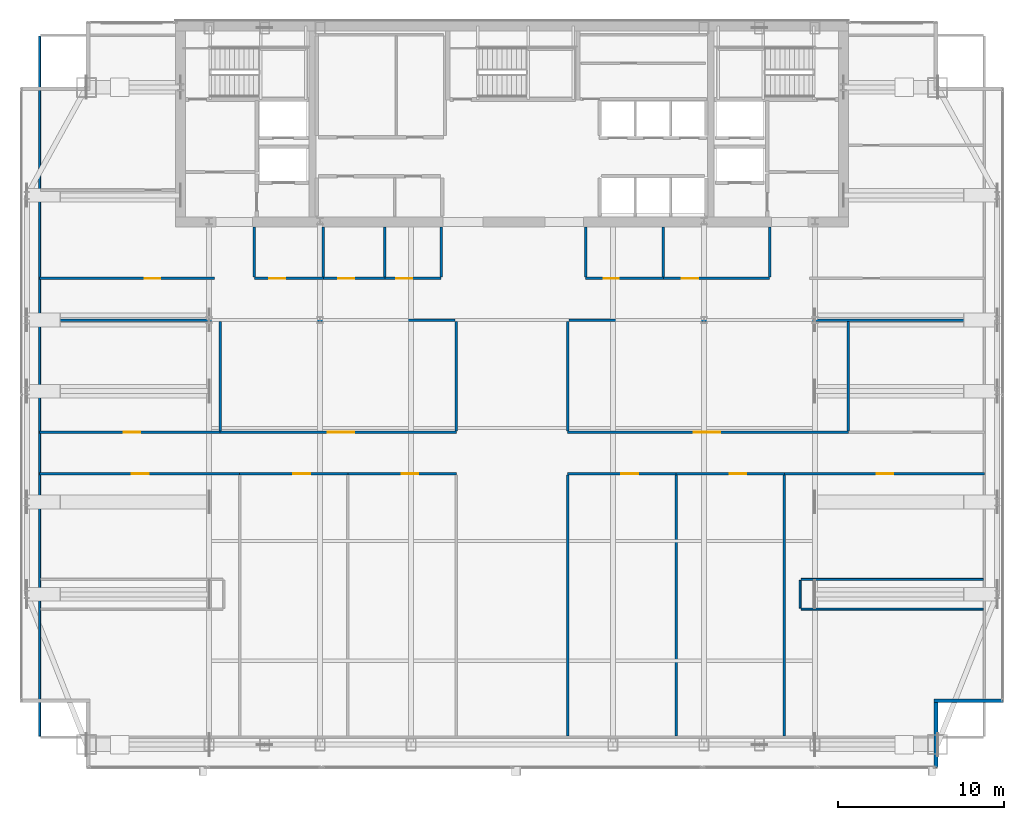
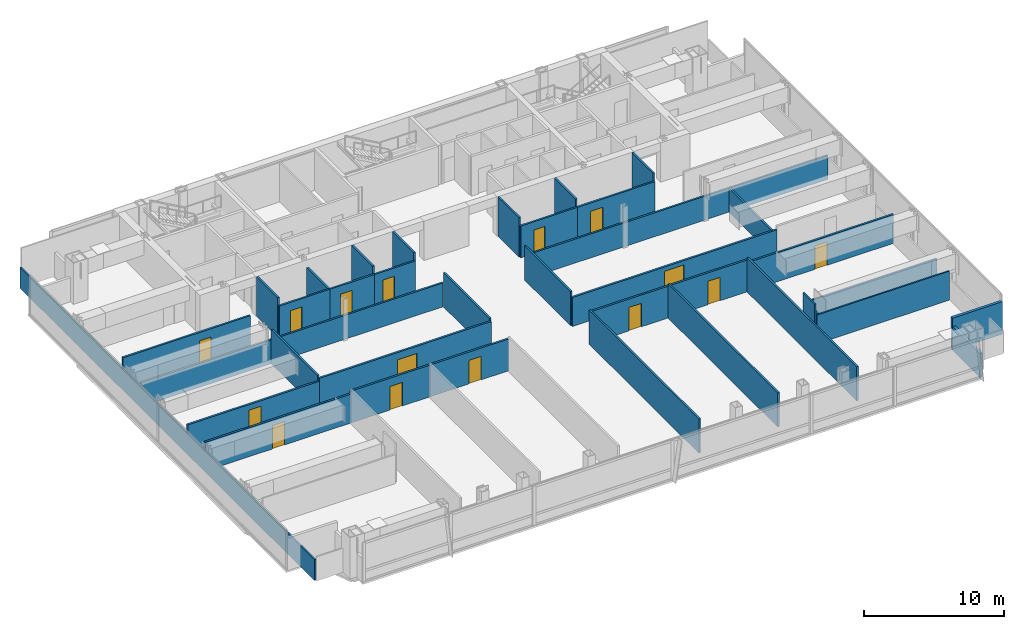
# One storey, part 21 of 26: 37 walls, 15 doors, 15 openings.
"""IFC4 building model written with IfcOpenShell, lengths in metres."""

from ifc_helpers import new_model, si_unit, direction, frame, frame_2d, origin, place, context, subcontext, project, spatial, rectangle, extrude, material, layer, layer_set, type_object, element, fill, save


model = new_model("IFC4")

# Units and contexts
model_context = context("Model", 3, precision=1e-05, world=origin(), true_north=direction((0.0, 1.0)))
body_context = subcontext(model_context, "Body", "Model", "MODEL_VIEW")
ifc_project = project(units=[si_unit("LENGTHUNIT", "METRE"), si_unit("AREAUNIT", "SQUARE_METRE"), si_unit("VOLUMEUNIT", "CUBIC_METRE"), si_unit("PLANEANGLEUNIT", "RADIAN"), si_unit("MASSUNIT", "GRAM", prefix="KILO")], contexts=[model_context])

# Site, building, storey
site_placement = place(None, origin())
site = spatial("IfcSite", under=ifc_project, at=site_placement, CompositionType="ELEMENT")
building_placement = place(site_placement, origin())
building = spatial("IfcBuilding", under=site, at=building_placement, Name="Khoronbel Lancet Exchange", CompositionType="ELEMENT")
storey_placement = place(building_placement, frame((0.0, 0.0, 235.39990234375)))
storey = spatial("IfcBuildingStorey", under=building, at=storey_placement, Name="L60", CompositionType="ELEMENT", Elevation=235.39990234375)

# Walls
ifc_material_1 = material(Name="Precast concrete C40/50", Category="concrete")
ifc_layer_1 = layer(ifc_material_1, 0.25, Name="Precast concrete C40/50")
ifc_layer_set_1 = layer_set([ifc_layer_1], Name="Precast concrete C40/50")
wall_type_1 = type_object("IfcWallType", Name="WL-EXT250", PredefinedType="SOLIDWALL", material=ifc_layer_set_1)
wall_1_placement = place(storey_placement, frame((65.97998046875, 12.7900390625, 0.0), z_axis=(0.0, 0.0, 1.0), x_axis=(-1.0, 0.0, 0.0)))
element("IfcWall", 1, at=wall_1_placement, inside=storey, type_object=wall_type_1, Name="Level L60 notched-corner limestone pier 10", PredefinedType="SOLIDWALL", context=body_context, shape_type="SweptSolid", body=[
    extrude(rectangle(XDim=4.1298828125, YDim=0.219970703125, at=frame_2d((2.06494140625, 0.0))), origin(), (0.0, 0.0, 1.0), 2.830078125),
])
wall_2_placement = place(storey_placement, frame((61.9599609375, 12.679931640625, 0.0), z_axis=(0.0, 0.0, 1.0), x_axis=(0.0, -1.0, 0.0)))
element("IfcWall", 2, at=wall_2_placement, inside=storey, type_object=wall_type_1, Name="Level L60 notched-corner limestone pier 11", PredefinedType="SOLIDWALL", context=body_context, shape_type="SweptSolid", body=[
    extrude(rectangle(XDim=3.909912109375, YDim=0.219970703125, at=frame_2d((1.955078125, 0.0))), origin(), (0.0, 0.0, 1.0), 2.090087890625),
])
ifc_material_2 = material(Name="Acoustic Metal-Stud & Mineral-Wool Gypsum Partition 120 mm", Category="gypsum")
ifc_layer_2 = layer(ifc_material_2, 0.1201171875, Name="Acoustic Metal-Stud & Mineral-Wool Gypsum Partition 120 mm")
ifc_layer_set_2 = layer_set([ifc_layer_2], Name="Acoustic Metal-Stud & Mineral-Wool Gypsum Partition 120 mm")
wall_type_2 = type_object("IfcWallType", Name="WL-PRT120", PredefinedType="PARTITIONING", material=ifc_layer_set_2)
wall_3_placement = place(storey_placement, frame((20.949951171875, 38.280029296875, 0.0), z_axis=(0.0, 0.0, 1.0), x_axis=(0.0, 1.0, 0.0)))
element("IfcWall", 3, at=wall_3_placement, inside=storey, type_object=wall_type_2, Name="Level L60 interior partition PW-WC-0", PredefinedType="PARTITIONING", context=body_context, shape_type="SweptSolid", body=[
    extrude(rectangle(XDim=3.02001953125, YDim=0.14990234375, at=frame_2d((1.510009765625, 0.0))), origin(), (0.0, 0.0, 1.0), 3.440185546875),
])
wall_4_placement = place(storey_placement, frame((25.10009765625, 38.280029296875, 0.0), z_axis=(0.0, 0.0, 1.0), x_axis=(0.0, 1.0, 0.0)))
element("IfcWall", 4, at=wall_4_placement, inside=storey, type_object=wall_type_2, Name="Level L60 interior partition PW-WC-1", PredefinedType="PARTITIONING", context=body_context, shape_type="SweptSolid", body=[
    extrude(rectangle(XDim=3.02001953125, YDim=0.14990234375, at=frame_2d((1.510009765625, 0.0))), origin(), (0.0, 0.0, 1.0), 2.780029296875),
])
for number, where, z_axis, x_axis, name in (
    (5, (28.800048828125, 38.280029296875, 0.0), (0.0, 0.0, 1.0), (0.0, 1.0, 0.0), "Level L60 interior partition PW-WC-2"),
    (6, (32.179931640625, 38.280029296875, 0.0), (0.0, 0.0, 1.0), (0.0, 1.0, 0.0), "Level L60 interior partition PW-WC-3"),
    (7, (40.8798828125, 38.280029296875, 0.0), (0.0, 0.0, 1.0), (0.0, 1.0, 0.0), "Level L60 interior partition PW-NP-0"),
    (8, (45.550048828125, 38.280029296875, 0.0), (0.0, 0.0, 1.0), (0.0, 1.0, 0.0), "Level L60 interior partition PW-NP-M"),
    (9, (51.949951171875, 38.280029296875, 0.0), (0.0, 0.0, 1.0), (0.0, 1.0, 0.0), "Level L60 interior partition PW-NP-1"),
):
    element("IfcWall", number, at=place(storey_placement, frame(where, z_axis=z_axis, x_axis=x_axis)), inside=storey, type_object=wall_type_2, Name=name, PredefinedType="PARTITIONING", context=body_context, shape_type="SweptSolid", body=[
        extrude(rectangle(XDim=3.02001953125, YDim=0.14990234375, at=frame_2d((1.510009765625, 0.0))), origin(), (0.0, 0.0, 1.0), 3.440185546875),
    ])
wall_5_placement = place(storey_placement, frame((8.030029296875, 10.6650390625, 0.0), z_axis=(0.0, 0.0, 1.0), x_axis=(0.0, 1.0, 0.0)))
element("IfcWall", 10, at=wall_5_placement, inside=storey, type_object=wall_type_2, Name="Level L60 interior partition PW-LIN-W", PredefinedType="PARTITIONING", context=body_context, shape_type="SweptSolid", body=[
    extrude(rectangle(XDim=42.10986328125, YDim=0.1201171875, at=frame_2d((21.054931640625, 0.0))), origin(), (0.0, 0.0, 1.0), 1.830078125),
])
for number, where, z_axis, x_axis, name in (
    (11, (53.844970703125, 18.300048828125, 0.0), (0.0, 0.0, 1.0), (1.0, 0.0, 0.0), "Level L60 interior partition PW-BLK-ES"),
    (12, (53.844970703125, 20.10009765625, 0.0), (0.0, 0.0, 1.0), (1.0, 0.0, 0.0), "Level L60 interior partition PW-BLK-EN"),
):
    element("IfcWall", number, at=place(storey_placement, frame(where, z_axis=z_axis, x_axis=x_axis)), inside=storey, type_object=wall_type_2, Name=name, PredefinedType="PARTITIONING", context=body_context, shape_type="SweptSolid", body=[
        extrude(rectangle(XDim=10.9599609375, YDim=0.1201171875, at=frame_2d((5.47998046875, 0.0))), origin(), (0.0, 0.0, 1.0), 2.530029296875),
    ])
wall_6_placement = place(storey_placement, frame((53.780029296875, 18.364990234375, 0.0), z_axis=(0.0, 0.0, 1.0), x_axis=(0.0, 1.0, 0.0)))
element("IfcWall", 13, at=wall_6_placement, inside=storey, type_object=wall_type_2, Name="Level L60 interior partition PW-BLK-EW", PredefinedType="PARTITIONING", context=body_context, shape_type="SweptSolid", body=[
    extrude(rectangle(XDim=1.669921875, YDim=0.1201171875, at=frame_2d((0.8349609375, 0.0))), origin(), (0.0, 0.0, 1.0), 3.440185546875),
])

# Wall, opening, door
ifc_material_3 = material(Name="Fire-Rated Twin-Stud Acoustic Gypsum Partition 150 mm", Category="gypsum")
ifc_layer_3 = layer(ifc_material_3, 0.14990234375, Name="Fire-Rated Twin-Stud Acoustic Gypsum Partition 150 mm")
ifc_layer_set_3 = layer_set([ifc_layer_3], Name="Fire-Rated Twin-Stud Acoustic Gypsum Partition 150 mm")
wall_type_3 = type_object("IfcWallType", Name="WL-PRT150C", PredefinedType="PARTITIONING", material=ifc_layer_set_3)
wall_7_placement = place(storey_placement, frame((20.949951171875, 38.199951171875, 0.0), z_axis=(0.0, 0.0, 1.0), x_axis=(1.0, 0.0, 0.0)))
wall_7 = element("IfcWall", 14, at=wall_7_placement, inside=storey, type_object=wall_type_3, Name="Level L60 interior partition PW-WC-S1", PredefinedType="PARTITIONING", context=body_context, shape_type="SweptSolid", body=[
    extrude(rectangle(XDim=4.150146484375, YDim=0.14990234375, at=frame_2d((2.0751953125, 0.0))), origin(), (0.0, 0.0, 1.0), 2.780029296875),
])
opening_1_placement = place(wall_7_placement, frame((0.89990234375, 0.0, 0.0)))
opening_1 = element("IfcOpeningElement", 15, at=opening_1_placement, cuts=wall_7, Name="Opening D4", PredefinedType="OPENING", context=body_context, shape_type="SweptSolid", body=[
    extrude(rectangle(XDim=0.949951171875, YDim=2.050048828125, at=frame_2d((0.47509765625, 1.02490234375))), frame((0.0, 0.0849609375, 0.0), z_axis=(0.0, -1.0, 0.0), x_axis=(1.0, 0.0, 0.0)), (0.0, 0.0, 1.0), 0.169921875),
])
ifc_material_4 = material(Name="Moisture-Resistant HPL Washroom Door", Category="wood")
door_type_1 = type_object("IfcDoorType", Name="DR-D4", OperationType="NOTDEFINED", PredefinedType="DOOR", material=ifc_material_4)
door_1_placement = place(opening_1_placement, origin())
door_1 = element("IfcDoor", 16, at=door_1_placement, inside=storey, type_object=door_type_1, Name="Male washroom door L60-1", OperationType="SINGLE_SWING_LEFT", OverallHeight=2.050048828125, OverallWidth=0.949951171875, PredefinedType="DOOR", context=body_context, shape_type="SweptSolid", body=[
    extrude(rectangle(XDim=0.949951171875, YDim=2.050048828125, at=frame_2d((0.47509765625, 1.02490234375))), frame((0.0, 0.02490234375, 0.0), z_axis=(0.0, -1.0, 0.0), x_axis=(1.0, 0.0, 0.0)), (0.0, 0.0, 1.0), 0.050048828125),
])
fill(opening_1, door_1)

wall_8_placement = place(storey_placement, frame((25.10009765625, 38.199951171875, 0.0), z_axis=(0.0, 0.0, 1.0), x_axis=(1.0, 0.0, 0.0)))
wall_8 = element("IfcWall", 17, at=wall_8_placement, inside=storey, type_object=wall_type_3, Name="Level L60 interior partition PW-WC-S2", PredefinedType="PARTITIONING", context=body_context, shape_type="SweptSolid", body=[
    extrude(rectangle(XDim=3.699951171875, YDim=0.14990234375, at=frame_2d((1.85009765625, 0.0))), origin(), (0.0, 0.0, 1.0), 2.780029296875),
])
opening_2_placement = place(wall_8_placement, frame((0.89990234375, 0.0, 0.0)))
opening_2 = element("IfcOpeningElement", 18, at=opening_2_placement, cuts=wall_8, Name="Opening D4", PredefinedType="OPENING", context=body_context, shape_type="SweptSolid", body=[
    extrude(rectangle(XDim=0.949951171875, YDim=2.050048828125, at=frame_2d((0.47509765625, 1.02490234375))), frame((0.0, 0.0849609375, 0.0), z_axis=(0.0, -1.0, 0.0), x_axis=(1.0, 0.0, 0.0)), (0.0, 0.0, 1.0), 0.169921875),
])
door_2_placement = place(opening_2_placement, origin())
door_2 = element("IfcDoor", 19, at=door_2_placement, inside=storey, type_object=door_type_1, Name="Female washroom door L60-1", OperationType="SINGLE_SWING_RIGHT", OverallHeight=2.050048828125, OverallWidth=0.949951171875, PredefinedType="DOOR", context=body_context, shape_type="SweptSolid", body=[
    extrude(rectangle(XDim=0.949951171875, YDim=2.050048828125, at=frame_2d((0.47509765625, 1.02490234375))), frame((0.0, 0.02490234375, 0.0), z_axis=(0.0, -1.0, 0.0), x_axis=(1.0, 0.0, 0.0)), (0.0, 0.0, 1.0), 0.050048828125),
])
fill(opening_2, door_2)

wall_9_placement = place(storey_placement, frame((28.800048828125, 38.199951171875, 0.0), z_axis=(0.0, 0.0, 1.0), x_axis=(1.0, 0.0, 0.0)))
wall_9 = element("IfcWall", 20, at=wall_9_placement, inside=storey, type_object=wall_type_3, Name="Level L60 interior partition PW-WC-S3", PredefinedType="PARTITIONING", context=body_context, shape_type="SweptSolid", body=[
    extrude(rectangle(XDim=3.3798828125, YDim=0.14990234375, at=frame_2d((1.68994140625, 0.0))), origin(), (0.0, 0.0, 1.0), 2.780029296875),
])
opening_3_placement = place(wall_9_placement, frame((0.699951171875, 0.0, 0.0)))
opening_3 = element("IfcOpeningElement", 21, at=opening_3_placement, cuts=wall_9, Name="Opening D4", PredefinedType="OPENING", context=body_context, shape_type="SweptSolid", body=[
    extrude(rectangle(XDim=0.949951171875, YDim=2.050048828125, at=frame_2d((0.47509765625, 1.02490234375))), frame((0.0, 0.0849609375, 0.0), z_axis=(0.0, -1.0, 0.0), x_axis=(1.0, 0.0, 0.0)), (0.0, 0.0, 1.0), 0.169921875),
])
door_3_placement = place(opening_3_placement, origin())
door_3 = element("IfcDoor", 22, at=door_3_placement, inside=storey, type_object=door_type_1, Name="Accessible WC door L60-1", OperationType="SINGLE_SWING_LEFT", OverallHeight=2.050048828125, OverallWidth=0.949951171875, PredefinedType="DOOR", context=body_context, shape_type="SweptSolid", body=[
    extrude(rectangle(XDim=0.949951171875, YDim=2.050048828125, at=frame_2d((0.47509765625, 1.02490234375))), frame((0.0, 0.02490234375, 0.0), z_axis=(0.0, -1.0, 0.0), x_axis=(1.0, 0.0, 0.0)), (0.0, 0.0, 1.0), 0.050048828125),
])
fill(opening_3, door_3)

wall_10_placement = place(storey_placement, frame((40.8798828125, 38.199951171875, 0.0), z_axis=(0.0, 0.0, 1.0), x_axis=(1.0, 0.0, 0.0)))
wall_10 = element("IfcWall", 23, at=wall_10_placement, inside=storey, type_object=wall_type_3, Name="Level L60 interior partition PW-NP-S1", PredefinedType="PARTITIONING", context=body_context, shape_type="SweptSolid", body=[
    extrude(rectangle(XDim=4.670166015625, YDim=0.14990234375, at=frame_2d((2.3349609375, 0.0))), origin(), (0.0, 0.0, 1.0), 2.780029296875),
])
opening_4_placement = place(wall_10_placement, frame((1.10009765625, 0.0, 0.0)))
opening_4 = element("IfcOpeningElement", 24, at=opening_4_placement, cuts=wall_10, Name="Opening D5", PredefinedType="OPENING", context=body_context, shape_type="SweptSolid", body=[
    extrude(rectangle(XDim=0.89990234375, YDim=2.050048828125, at=frame_2d((0.449951171875, 1.02490234375))), frame((0.0, 0.0849609375, 0.0), z_axis=(0.0, -1.0, 0.0), x_axis=(1.0, 0.0, 0.0)), (0.0, 0.0, 1.0), 0.169921875),
])
ifc_material_5 = material(Name="Acoustic Timber Pantry & Support Door", Category="wood")
door_type_2 = type_object("IfcDoorType", Name="DR-D5", OperationType="NOTDEFINED", PredefinedType="DOOR", material=ifc_material_5)
door_4_placement = place(opening_4_placement, origin())
door_4 = element("IfcDoor", 25, at=door_4_placement, inside=storey, type_object=door_type_2, Name="Floor refreshment pantry door L60-1", OperationType="SINGLE_SWING_RIGHT", OverallHeight=2.050048828125, OverallWidth=0.89990234375, PredefinedType="DOOR", context=body_context, shape_type="SweptSolid", body=[
    extrude(rectangle(XDim=0.89990234375, YDim=2.050048828125, at=frame_2d((0.449951171875, 1.02490234375))), frame((0.0, 0.02490234375, 0.0), z_axis=(0.0, -1.0, 0.0), x_axis=(1.0, 0.0, 0.0)), (0.0, 0.0, 1.0), 0.050048828125),
])
fill(opening_4, door_4)

wall_11_placement = place(storey_placement, frame((45.550048828125, 38.199951171875, 0.0), z_axis=(0.0, 0.0, 1.0), x_axis=(1.0, 0.0, 0.0)))
wall_11 = element("IfcWall", 26, at=wall_11_placement, inside=storey, type_object=wall_type_3, Name="Level L60 interior partition PW-NP-S2", PredefinedType="PARTITIONING", context=body_context, shape_type="SweptSolid", body=[
    extrude(rectangle(XDim=6.39990234375, YDim=0.14990234375, at=frame_2d((3.199951171875, 0.0))), origin(), (0.0, 0.0, 1.0), 2.780029296875),
])
opening_5_placement = place(wall_11_placement, frame((1.10009765625, 0.0, 0.0)))
opening_5 = element("IfcOpeningElement", 27, at=opening_5_placement, cuts=wall_11, Name="Opening D2", PredefinedType="OPENING", context=body_context, shape_type="SweptSolid", body=[
    extrude(rectangle(XDim=1.0, YDim=2.050048828125, at=frame_2d((0.5, 1.02490234375))), frame((0.0, 0.0849609375, 0.0), z_axis=(0.0, -1.0, 0.0), x_axis=(1.0, 0.0, 0.0)), (0.0, 0.0, 1.0), 0.169921875),
])
ifc_material_6 = material(Name="Acoustic Veneered Timber & Bronze Frame Door", Category="wood")
door_type_3 = type_object("IfcDoorType", Name="DR-D2", OperationType="NOTDEFINED", PredefinedType="DOOR", material=ifc_material_6)
door_5_placement = place(opening_5_placement, origin())
door_5 = element("IfcDoor", 28, at=door_5_placement, inside=storey, type_object=door_type_3, Name="Floor store door L60-1", OperationType="SINGLE_SWING_LEFT", OverallHeight=2.050048828125, OverallWidth=1.0, PredefinedType="DOOR", context=body_context, shape_type="SweptSolid", body=[
    extrude(rectangle(XDim=1.0, YDim=2.050048828125, at=frame_2d((0.5, 1.02490234375))), frame((0.0, 0.02490234375, 0.0), z_axis=(0.0, -1.0, 0.0), x_axis=(1.0, 0.0, 0.0)), (0.0, 0.0, 1.0), 0.050048828125),
])
fill(opening_5, door_5)

wall_12_placement = place(storey_placement, frame((8.030029296875, 38.199951171875, 0.0), z_axis=(0.0, 0.0, 1.0), x_axis=(1.0, 0.0, 0.0)))
wall_12 = element("IfcWall", 29, at=wall_12_placement, inside=storey, type_object=wall_type_3, Name="Level L60 interior partition PW-NW-S", PredefinedType="PARTITIONING", context=body_context, shape_type="SweptSolid", body=[
    extrude(rectangle(XDim=10.52001953125, YDim=0.14990234375, at=frame_2d((5.260009765625, 0.0))), origin(), (0.0, 0.0, 1.0), 2.780029296875),
])
opening_6_placement = place(wall_12_placement, frame((6.320068359375, 0.0, 0.0)))
opening_6 = element("IfcOpeningElement", 30, at=opening_6_placement, cuts=wall_12, Name="Opening D1", PredefinedType="OPENING", context=body_context, shape_type="SweptSolid", body=[
    extrude(rectangle(XDim=0.949951171875, YDim=2.050048828125, at=frame_2d((0.47509765625, 1.02490234375))), frame((0.0, 0.0849609375, 0.0), z_axis=(0.0, -1.0, 0.0), x_axis=(1.0, 0.0, 0.0)), (0.0, 0.0, 1.0), 0.169921875),
])
door_type_4 = type_object("IfcDoorType", Name="DR-D1", OperationType="NOTDEFINED", PredefinedType="DOOR", material=ifc_material_6)
door_6_placement = place(opening_6_placement, origin())
door_6 = element("IfcDoor", 31, at=door_6_placement, inside=storey, type_object=door_type_4, Name="NW corner room door L60-1", OperationType="SINGLE_SWING_RIGHT", OverallHeight=2.050048828125, OverallWidth=0.949951171875, PredefinedType="DOOR", context=body_context, shape_type="SweptSolid", body=[
    extrude(rectangle(XDim=0.949951171875, YDim=2.050048828125, at=frame_2d((0.47509765625, 1.02490234375))), frame((0.0, 0.02490234375, 0.0), z_axis=(0.0, -1.0, 0.0), x_axis=(1.0, 0.0, 0.0)), (0.0, 0.0, 1.0), 0.050048828125),
])
fill(opening_6, door_6)

# Walls
wall_13_placement = place(storey_placement, frame((39.800048828125, 10.6650390625, 0.0), z_axis=(0.0, 0.0, 1.0), x_axis=(0.0, 1.0, 0.0)))
element("IfcWall", 32, at=wall_13_placement, inside=storey, type_object=wall_type_3, Name="Level L60 interior partition PW-Z3-CE1", PredefinedType="PARTITIONING", context=body_context, shape_type="SweptSolid", body=[
    extrude(rectangle(XDim=15.699951171875, YDim=0.14990234375, at=frame_2d((7.85009765625, 0.0))), origin(), (0.0, 0.0, 1.0), 2.97998046875),
])
for number, where, z_axis, x_axis, name in (
    (33, (33.10009765625, 29.034912109375, 0.0), (0.0, 0.0, 1.0), (0.0, 1.0, 0.0), "Level L60 interior partition PW-Z3-CW2"),
    (34, (39.800048828125, 29.034912109375, 0.0), (0.0, 0.0, 1.0), (0.0, 1.0, 0.0), "Level L60 interior partition PW-Z3-CE2"),
):
    element("IfcWall", number, at=place(storey_placement, frame(where, z_axis=z_axis, x_axis=x_axis)), inside=storey, type_object=wall_type_3, Name=name, PredefinedType="PARTITIONING", context=body_context, shape_type="SweptSolid", body=[
        extrude(rectangle(XDim=6.585205078125, YDim=0.14990234375, at=frame_2d((3.29248046875, 0.0))), origin(), (0.0, 0.0, 1.0), 2.97998046875),
    ])
for number, where, z_axis, x_axis, name in (
    (35, (8.094970703125, 35.699951171875, 0.0), (0.0, 0.0, 1.0), (1.0, 0.0, 0.0), "Level L60 interior partition PW-Z3-WN"),
    (36, (39.8798828125, 35.699951171875, 0.0), (0.0, 0.0, 1.0), (1.0, 0.0, 0.0), "Level L60 interior partition PW-Z3-EN"),
):
    element("IfcWall", number, at=place(storey_placement, frame(where, z_axis=z_axis, x_axis=x_axis)), inside=storey, type_object=wall_type_3, Name=name, PredefinedType="PARTITIONING", context=body_context, shape_type="SweptSolid", body=[
        extrude(rectangle(XDim=24.925048828125, YDim=0.14990234375, at=frame_2d((12.46240234375, 0.0))), origin(), (0.0, 0.0, 1.0), 2.090087890625),
    ])
for number, where, z_axis, x_axis, name in (
    (37, (46.318115234375, 10.6650390625, 0.0), (0.0, 0.0, 1.0), (0.0, 1.0, 0.0), "Level L60 interior partition PW-Z3SE-V1"),
    (38, (52.83642578125, 10.6650390625, 0.0), (0.0, 0.0, 1.0), (0.0, 1.0, 0.0), "Level L60 interior partition PW-Z3SE-V2"),
):
    element("IfcWall", number, at=place(storey_placement, frame(where, z_axis=z_axis, x_axis=x_axis)), inside=storey, type_object=wall_type_3, Name=name, PredefinedType="PARTITIONING", context=body_context, shape_type="SweptSolid", body=[
        extrude(rectangle(XDim=15.699951171875, YDim=0.14990234375, at=frame_2d((7.85009765625, 0.0))), origin(), (0.0, 0.0, 1.0), 2.97998046875),
    ])
wall_14_placement = place(storey_placement, frame((18.8916015625, 29.034912109375, 0.0), z_axis=(0.0, 0.0, 1.0), x_axis=(0.0, 1.0, 0.0)))
element("IfcWall", 39, at=wall_14_placement, inside=storey, type_object=wall_type_3, Name="Level L60 interior partition PW-Z3NW-V1", PredefinedType="PARTITIONING", context=body_context, shape_type="SweptSolid", body=[
    extrude(rectangle(XDim=6.585205078125, YDim=0.14990234375, at=frame_2d((3.29248046875, 0.0))), origin(), (0.0, 0.0, 1.0), 2.97998046875),
])
wall_15_placement = place(storey_placement, frame((56.683837890625, 29.034912109375, 0.0), z_axis=(0.0, 0.0, 1.0), x_axis=(0.0, 1.0, 0.0)))
element("IfcWall", 40, at=wall_15_placement, inside=storey, type_object=wall_type_3, Name="Level L60 interior partition PW-Z3NE-V1", PredefinedType="PARTITIONING", context=body_context, shape_type="SweptSolid", body=[
    extrude(rectangle(XDim=6.585205078125, YDim=0.14990234375, at=frame_2d((3.29248046875, 0.0))), origin(), (0.0, 0.0, 1.0), 2.110107421875),
])

# Wall, opening, door
ifc_material_7 = material(Name="Fire-Rated Twin-Stud Acoustic Gypsum Partition 160 mm", Category="gypsum")
ifc_layer_4 = layer(ifc_material_7, 0.159912109375, Name="Fire-Rated Twin-Stud Acoustic Gypsum Partition 160 mm")
ifc_layer_set_4 = layer_set([ifc_layer_4], Name="Fire-Rated Twin-Stud Acoustic Gypsum Partition 160 mm")
wall_type_4 = type_object("IfcWallType", Name="WL-PRT160C", PredefinedType="PARTITIONING", material=ifc_layer_set_4)
wall_16_placement = place(storey_placement, frame((8.030029296875, 26.449951171875, 0.0), z_axis=(0.0, 0.0, 1.0), x_axis=(1.0, 0.0, 0.0)))
wall_16 = element("IfcWall", 41, at=wall_16_placement, inside=storey, type_object=wall_type_4, Name="Level L60 interior partition PW-Z3SW-COR1", PredefinedType="PARTITIONING", context=body_context, shape_type="SweptSolid", body=[
    extrude(rectangle(XDim=12.03369140625, YDim=0.159912109375, at=frame_2d((6.016845703125, 0.0))), origin(), (0.0, 0.0, 1.0), 2.530029296875),
])
opening_7_placement = place(wall_16_placement, frame((5.55419921875, 0.0, 0.0)))
opening_7 = element("IfcOpeningElement", 42, at=opening_7_placement, cuts=wall_16, Name="Opening D2", PredefinedType="OPENING", context=body_context, shape_type="SweptSolid", body=[
    extrude(rectangle(XDim=1.0, YDim=2.050048828125, at=frame_2d((0.5, 1.02490234375))), frame((0.0, 0.08984375, 0.0), z_axis=(0.0, -1.0, 0.0), x_axis=(1.0, 0.0, 0.0)), (0.0, 0.0, 1.0), 0.179931640625),
])
door_7_placement = place(opening_7_placement, origin())
door_7 = element("IfcDoor", 43, at=door_7_placement, inside=storey, type_object=door_type_3, Name="Z3SW bay 1 door L60-1", OperationType="SINGLE_SWING_RIGHT", OverallHeight=2.050048828125, OverallWidth=1.0, PredefinedType="DOOR", context=body_context, shape_type="SweptSolid", body=[
    extrude(rectangle(XDim=1.0, YDim=2.050048828125, at=frame_2d((0.5, 1.02490234375))), frame((0.0, 0.02490234375, 0.0), z_axis=(0.0, -1.0, 0.0), x_axis=(1.0, 0.0, 0.0)), (0.0, 0.0, 1.0), 0.050048828125),
])
fill(opening_7, door_7)

wall_17_placement = place(storey_placement, frame((20.063720703125, 26.449951171875, 0.0), z_axis=(0.0, 0.0, 1.0), x_axis=(1.0, 0.0, 0.0)))
wall_17 = element("IfcWall", 44, at=wall_17_placement, inside=storey, type_object=wall_type_4, Name="Level L60 interior partition PW-Z3SW-COR2", PredefinedType="PARTITIONING", context=body_context, shape_type="SweptSolid", body=[
    extrude(rectangle(XDim=6.51806640625, YDim=0.159912109375, at=frame_2d((3.259033203125, 0.0))), origin(), (0.0, 0.0, 1.0), 2.780029296875),
])
opening_8_placement = place(wall_17_placement, frame((3.237548828125, 0.0, 0.0)))
opening_8 = element("IfcOpeningElement", 45, at=opening_8_placement, cuts=wall_17, Name="Opening D2", PredefinedType="OPENING", context=body_context, shape_type="SweptSolid", body=[
    extrude(rectangle(XDim=1.0, YDim=2.050048828125, at=frame_2d((0.5, 1.02490234375))), frame((0.0, 0.08984375, 0.0), z_axis=(0.0, -1.0, 0.0), x_axis=(1.0, 0.0, 0.0)), (0.0, 0.0, 1.0), 0.179931640625),
])
door_8_placement = place(opening_8_placement, origin())
door_8 = element("IfcDoor", 46, at=door_8_placement, inside=storey, type_object=door_type_3, Name="Z3SW bay 2 door L60-1", OperationType="SINGLE_SWING_LEFT", OverallHeight=2.050048828125, OverallWidth=1.0, PredefinedType="DOOR", context=body_context, shape_type="SweptSolid", body=[
    extrude(rectangle(XDim=1.0, YDim=2.050048828125, at=frame_2d((0.5, 1.02490234375))), frame((0.0, 0.02490234375, 0.0), z_axis=(0.0, -1.0, 0.0), x_axis=(1.0, 0.0, 0.0)), (0.0, 0.0, 1.0), 0.050048828125),
])
fill(opening_8, door_8)

wall_18_placement = place(storey_placement, frame((26.581787109375, 26.449951171875, 0.0), z_axis=(0.0, 0.0, 1.0), x_axis=(1.0, 0.0, 0.0)))
wall_18 = element("IfcWall", 47, at=wall_18_placement, inside=storey, type_object=wall_type_4, Name="Level L60 interior partition PW-Z3SW-COR3", PredefinedType="PARTITIONING", context=body_context, shape_type="SweptSolid", body=[
    extrude(rectangle(XDim=6.518310546875, YDim=0.159912109375, at=frame_2d((3.25927734375, 0.0))), origin(), (0.0, 0.0, 1.0), 2.780029296875),
])
opening_9_placement = place(wall_18_placement, frame((3.237548828125, 0.0, 0.0)))
opening_9 = element("IfcOpeningElement", 48, at=opening_9_placement, cuts=wall_18, Name="Opening D2", PredefinedType="OPENING", context=body_context, shape_type="SweptSolid", body=[
    extrude(rectangle(XDim=1.0, YDim=2.050048828125, at=frame_2d((0.5, 1.02490234375))), frame((0.0, 0.08984375, 0.0), z_axis=(0.0, -1.0, 0.0), x_axis=(1.0, 0.0, 0.0)), (0.0, 0.0, 1.0), 0.179931640625),
])
door_9_placement = place(opening_9_placement, origin())
door_9 = element("IfcDoor", 49, at=door_9_placement, inside=storey, type_object=door_type_3, Name="Z3SW bay 3 door L60-1", OperationType="SINGLE_SWING_RIGHT", OverallHeight=2.050048828125, OverallWidth=1.0, PredefinedType="DOOR", context=body_context, shape_type="SweptSolid", body=[
    extrude(rectangle(XDim=1.0, YDim=2.050048828125, at=frame_2d((0.5, 1.02490234375))), frame((0.0, 0.02490234375, 0.0), z_axis=(0.0, -1.0, 0.0), x_axis=(1.0, 0.0, 0.0)), (0.0, 0.0, 1.0), 0.050048828125),
])
fill(opening_9, door_9)

wall_19_placement = place(storey_placement, frame((39.800048828125, 26.449951171875, 0.0), z_axis=(0.0, 0.0, 1.0), x_axis=(1.0, 0.0, 0.0)))
wall_19 = element("IfcWall", 50, at=wall_19_placement, inside=storey, type_object=wall_type_4, Name="Level L60 interior partition PW-Z3SE-COR1", PredefinedType="PARTITIONING", context=body_context, shape_type="SweptSolid", body=[
    extrude(rectangle(XDim=6.51806640625, YDim=0.159912109375, at=frame_2d((3.259033203125, 0.0))), origin(), (0.0, 0.0, 1.0), 2.780029296875),
])
opening_10_placement = place(wall_19_placement, frame((3.237548828125, 0.0, 0.0)))
opening_10 = element("IfcOpeningElement", 51, at=opening_10_placement, cuts=wall_19, Name="Opening D2", PredefinedType="OPENING", context=body_context, shape_type="SweptSolid", body=[
    extrude(rectangle(XDim=1.0, YDim=2.050048828125, at=frame_2d((0.5, 1.02490234375))), frame((0.0, 0.08984375, 0.0), z_axis=(0.0, -1.0, 0.0), x_axis=(1.0, 0.0, 0.0)), (0.0, 0.0, 1.0), 0.179931640625),
])
door_10_placement = place(opening_10_placement, origin())
door_10 = element("IfcDoor", 52, at=door_10_placement, inside=storey, type_object=door_type_3, Name="Z3SE bay 1 door L60-1", OperationType="SINGLE_SWING_LEFT", OverallHeight=2.050048828125, OverallWidth=1.0, PredefinedType="DOOR", context=body_context, shape_type="SweptSolid", body=[
    extrude(rectangle(XDim=1.0, YDim=2.050048828125, at=frame_2d((0.5, 1.02490234375))), frame((0.0, 0.02490234375, 0.0), z_axis=(0.0, -1.0, 0.0), x_axis=(1.0, 0.0, 0.0)), (0.0, 0.0, 1.0), 0.050048828125),
])
fill(opening_10, door_10)

wall_20_placement = place(storey_placement, frame((46.318115234375, 26.449951171875, 0.0), z_axis=(0.0, 0.0, 1.0), x_axis=(1.0, 0.0, 0.0)))
wall_20 = element("IfcWall", 53, at=wall_20_placement, inside=storey, type_object=wall_type_4, Name="Level L60 interior partition PW-Z3SE-COR2", PredefinedType="PARTITIONING", context=body_context, shape_type="SweptSolid", body=[
    extrude(rectangle(XDim=6.518310546875, YDim=0.159912109375, at=frame_2d((3.25927734375, 0.0))), origin(), (0.0, 0.0, 1.0), 2.780029296875),
])
opening_11_placement = place(wall_20_placement, frame((3.237548828125, 0.0, 0.0)))
opening_11 = element("IfcOpeningElement", 54, at=opening_11_placement, cuts=wall_20, Name="Opening D2", PredefinedType="OPENING", context=body_context, shape_type="SweptSolid", body=[
    extrude(rectangle(XDim=1.0, YDim=2.050048828125, at=frame_2d((0.5, 1.02490234375))), frame((0.0, 0.08984375, 0.0), z_axis=(0.0, -1.0, 0.0), x_axis=(1.0, 0.0, 0.0)), (0.0, 0.0, 1.0), 0.179931640625),
])
door_11_placement = place(opening_11_placement, origin())
door_11 = element("IfcDoor", 55, at=door_11_placement, inside=storey, type_object=door_type_3, Name="Z3SE bay 2 door L60-1", OperationType="SINGLE_SWING_RIGHT", OverallHeight=2.050048828125, OverallWidth=1.0, PredefinedType="DOOR", context=body_context, shape_type="SweptSolid", body=[
    extrude(rectangle(XDim=1.0, YDim=2.050048828125, at=frame_2d((0.5, 1.02490234375))), frame((0.0, 0.02490234375, 0.0), z_axis=(0.0, -1.0, 0.0), x_axis=(1.0, 0.0, 0.0)), (0.0, 0.0, 1.0), 0.050048828125),
])
fill(opening_11, door_11)

wall_21_placement = place(storey_placement, frame((52.83642578125, 26.449951171875, 0.0), z_axis=(0.0, 0.0, 1.0), x_axis=(1.0, 0.0, 0.0)))
wall_21 = element("IfcWall", 56, at=wall_21_placement, inside=storey, type_object=wall_type_4, Name="Level L60 interior partition PW-Z3SE-COR3", PredefinedType="PARTITIONING", context=body_context, shape_type="SweptSolid", body=[
    extrude(rectangle(XDim=12.03369140625, YDim=0.159912109375, at=frame_2d((6.016845703125, 0.0))), origin(), (0.0, 0.0, 1.0), 2.530029296875),
])
opening_12_placement = place(wall_21_placement, frame((5.55419921875, 0.0, 0.0)))
opening_12 = element("IfcOpeningElement", 57, at=opening_12_placement, cuts=wall_21, Name="Opening D2", PredefinedType="OPENING", context=body_context, shape_type="SweptSolid", body=[
    extrude(rectangle(XDim=1.0, YDim=2.050048828125, at=frame_2d((0.5, 1.02490234375))), frame((0.0, 0.08984375, 0.0), z_axis=(0.0, -1.0, 0.0), x_axis=(1.0, 0.0, 0.0)), (0.0, 0.0, 1.0), 0.179931640625),
])
door_12_placement = place(opening_12_placement, origin())
door_12 = element("IfcDoor", 58, at=door_12_placement, inside=storey, type_object=door_type_3, Name="Z3SE bay 3 door L60-1", OperationType="SINGLE_SWING_LEFT", OverallHeight=2.050048828125, OverallWidth=1.0, PredefinedType="DOOR", context=body_context, shape_type="SweptSolid", body=[
    extrude(rectangle(XDim=1.0, YDim=2.050048828125, at=frame_2d((0.5, 1.02490234375))), frame((0.0, 0.02490234375, 0.0), z_axis=(0.0, -1.0, 0.0), x_axis=(1.0, 0.0, 0.0)), (0.0, 0.0, 1.0), 0.050048828125),
])
fill(opening_12, door_12)

wall_22_placement = place(storey_placement, frame((8.030029296875, 28.949951171875, 0.0), z_axis=(0.0, 0.0, 1.0), x_axis=(1.0, 0.0, 0.0)))
wall_22 = element("IfcWall", 59, at=wall_22_placement, inside=storey, type_object=wall_type_4, Name="Level L60 interior partition PW-Z3NW-COR1", PredefinedType="PARTITIONING", context=body_context, shape_type="SweptSolid", body=[
    extrude(rectangle(XDim=10.861572265625, YDim=0.159912109375, at=frame_2d((5.4306640625, 0.0))), origin(), (0.0, 0.0, 1.0), 2.530029296875),
])
opening_13_placement = place(wall_22_placement, frame((5.06201171875, 0.0, 0.0)))
opening_13 = element("IfcOpeningElement", 60, at=opening_13_placement, cuts=wall_22, Name="Opening D2", PredefinedType="OPENING", context=body_context, shape_type="SweptSolid", body=[
    extrude(rectangle(XDim=1.0, YDim=2.050048828125, at=frame_2d((0.5, 1.02490234375))), frame((0.0, 0.08984375, 0.0), z_axis=(0.0, -1.0, 0.0), x_axis=(1.0, 0.0, 0.0)), (0.0, 0.0, 1.0), 0.179931640625),
])
door_13_placement = place(opening_13_placement, origin())
door_13 = element("IfcDoor", 61, at=door_13_placement, inside=storey, type_object=door_type_3, Name="Z3NW bay 1 door L60-1", OperationType="SINGLE_SWING_RIGHT", OverallHeight=2.050048828125, OverallWidth=1.0, PredefinedType="DOOR", context=body_context, shape_type="SweptSolid", body=[
    extrude(rectangle(XDim=1.0, YDim=2.050048828125, at=frame_2d((0.5, 1.02490234375))), frame((0.0, 0.02490234375, 0.0), z_axis=(0.0, -1.0, 0.0), x_axis=(1.0, 0.0, 0.0)), (0.0, 0.0, 1.0), 0.050048828125),
])
fill(opening_13, door_13)

wall_23_placement = place(storey_placement, frame((18.8916015625, 28.949951171875, 0.0), z_axis=(0.0, 0.0, 1.0), x_axis=(1.0, 0.0, 0.0)))
wall_23 = element("IfcWall", 62, at=wall_23_placement, inside=storey, type_object=wall_type_4, Name="Level L60 interior partition PW-Z3NW-COR2", PredefinedType="PARTITIONING", context=body_context, shape_type="SweptSolid", body=[
    extrude(rectangle(XDim=14.20849609375, YDim=0.159912109375, at=frame_2d((7.104248046875, 0.0))), origin(), (0.0, 0.0, 1.0), 2.780029296875),
])
opening_14_placement = place(wall_23_placement, frame((6.467529296875, 0.0, 0.0)))
opening_14 = element("IfcOpeningElement", 63, at=opening_14_placement, cuts=wall_23, Name="Opening D3", PredefinedType="OPENING", context=body_context, shape_type="SweptSolid", body=[
    extrude(rectangle(XDim=1.60009765625, YDim=2.14990234375, at=frame_2d((0.800048828125, 1.074951171875))), frame((0.0, 0.08984375, 0.0), z_axis=(0.0, -1.0, 0.0), x_axis=(1.0, 0.0, 0.0)), (0.0, 0.0, 1.0), 0.179931640625),
])
ifc_material_8 = material(Name="Glazed Bronze-Framed Double Suite Door", Category="aluminium")
door_type_5 = type_object("IfcDoorType", Name="DR-D3", OperationType="NOTDEFINED", PredefinedType="DOOR", material=ifc_material_8)
door_14_placement = place(opening_14_placement, origin())
door_14 = element("IfcDoor", 64, at=door_14_placement, inside=storey, type_object=door_type_5, Name="Z3NW bay 2 door L60-1", OperationType="DOUBLE_DOOR_SINGLE_SWING", OverallHeight=2.14990234375, OverallWidth=1.60009765625, PredefinedType="DOOR", context=body_context, shape_type="SweptSolid", body=[
    extrude(rectangle(XDim=1.60009765625, YDim=2.14990234375, at=frame_2d((0.800048828125, 1.074951171875))), frame((0.0, 0.02490234375, 0.0), z_axis=(0.0, -1.0, 0.0), x_axis=(1.0, 0.0, 0.0)), (0.0, 0.0, 1.0), 0.050048828125),
])
fill(opening_14, door_14)

wall_24_placement = place(storey_placement, frame((39.800048828125, 28.949951171875, 0.0), z_axis=(0.0, 0.0, 1.0), x_axis=(1.0, 0.0, 0.0)))
wall_24 = element("IfcWall", 65, at=wall_24_placement, inside=storey, type_object=wall_type_4, Name="Level L60 interior partition PW-Z3NE-COR1", PredefinedType="PARTITIONING", context=body_context, shape_type="SweptSolid", body=[
    extrude(rectangle(XDim=16.8837890625, YDim=0.159912109375, at=frame_2d((8.44189453125, 0.0))), origin(), (0.0, 0.0, 1.0), 2.530029296875),
])
opening_15_placement = place(wall_24_placement, frame((7.59130859375, 0.0, 0.0)))
opening_15 = element("IfcOpeningElement", 66, at=opening_15_placement, cuts=wall_24, Name="Opening D3", PredefinedType="OPENING", context=body_context, shape_type="SweptSolid", body=[
    extrude(rectangle(XDim=1.60009765625, YDim=2.14990234375, at=frame_2d((0.800048828125, 1.074951171875))), frame((0.0, 0.08984375, 0.0), z_axis=(0.0, -1.0, 0.0), x_axis=(1.0, 0.0, 0.0)), (0.0, 0.0, 1.0), 0.179931640625),
])
door_15_placement = place(opening_15_placement, origin())
door_15 = element("IfcDoor", 67, at=door_15_placement, inside=storey, type_object=door_type_5, Name="Z3NE bay 1 door L60-1", OperationType="DOUBLE_DOOR_SINGLE_SWING", OverallHeight=2.14990234375, OverallWidth=1.60009765625, PredefinedType="DOOR", context=body_context, shape_type="SweptSolid", body=[
    extrude(rectangle(XDim=1.60009765625, YDim=2.14990234375, at=frame_2d((0.800048828125, 1.074951171875))), frame((0.0, 0.02490234375, 0.0), z_axis=(0.0, -1.0, 0.0), x_axis=(1.0, 0.0, 0.0)), (0.0, 0.0, 1.0), 0.050048828125),
])
fill(opening_15, door_15)

save(model, "model.ifc")
